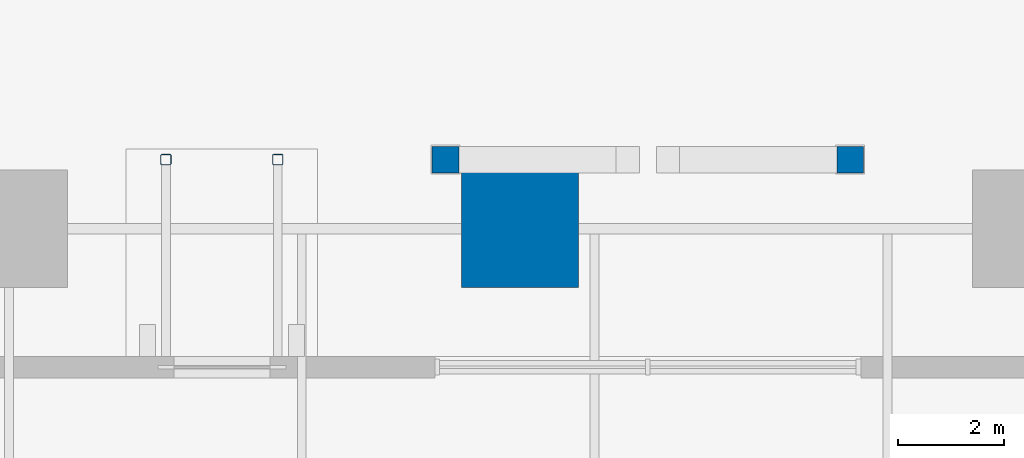
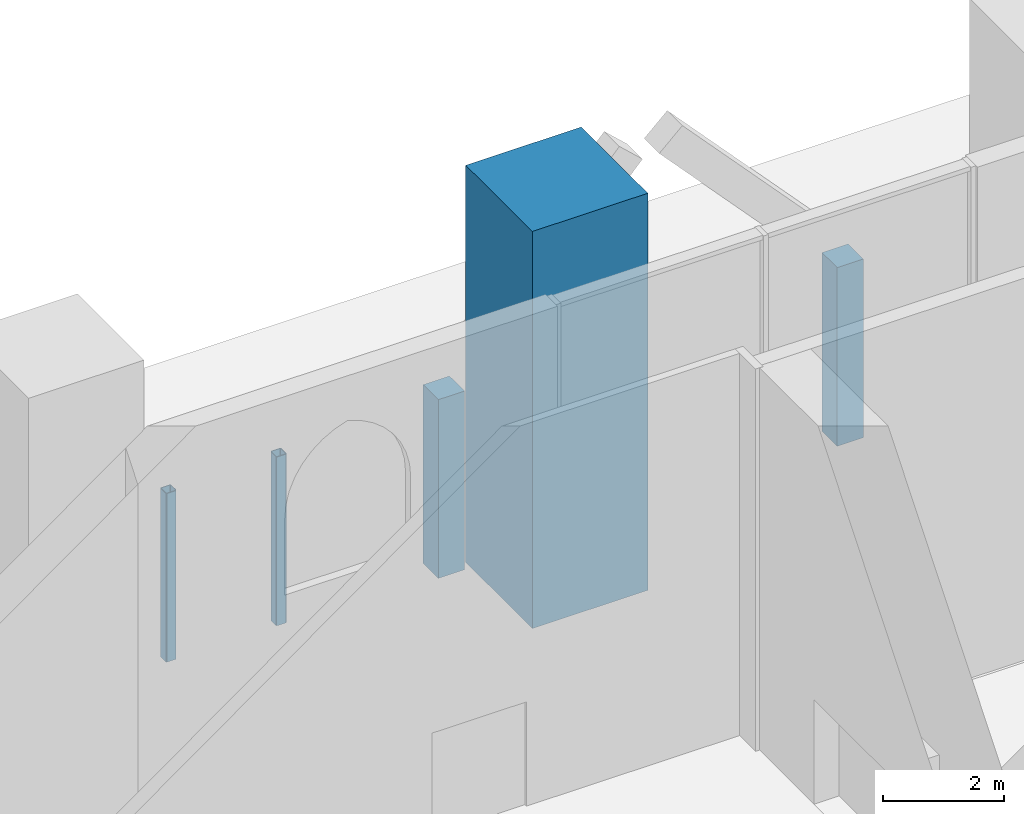
# One storey, part 11 of 38: 5 columns.
"""IFC4 building model written with IfcOpenShell, lengths in metres."""

from ifc_helpers import new_model, si_unit, direction, frame, origin, origin_2d, place, context, subcontext, project, spatial, rectangle, hollow_rectangle, extrude, material, material_profile, profile_set, type_object, element, save


model = new_model("IFC4")

# Units and contexts
model_context = context("Model", 3, precision=1e-05, world=origin(), true_north=direction((0.0, 1.0)))
body_context = subcontext(model_context, "Body", "Model", "MODEL_VIEW")
ifc_project = project(units=[si_unit("LENGTHUNIT", "METRE"), si_unit("AREAUNIT", "SQUARE_METRE"), si_unit("VOLUMEUNIT", "CUBIC_METRE"), si_unit("PLANEANGLEUNIT", "RADIAN"), si_unit("MASSUNIT", "GRAM", prefix="KILO")], contexts=[model_context])

# Site, building, storey
site_placement = place(None, origin())
site = spatial("IfcSite", under=ifc_project, at=site_placement, CompositionType="ELEMENT")
building_placement = place(site_placement, origin())
building = spatial("IfcBuilding", under=site, at=building_placement, Name="Ogive Exchange Tower", CompositionType="ELEMENT")
storey_placement = place(building_placement, origin())
storey = spatial("IfcBuildingStorey", under=building, at=storey_placement, Name="L00", CompositionType="ELEMENT", Elevation=0.0)

# Columns
ifc_material_1 = material(Name="Concrete C70/85", Category="concrete")
ifc_material_profile_1 = material_profile(ifc_material_1, rectangle(XDim=0.5, YDim=0.5, at=origin_2d()), Name="RC 500x500")
ifc_profile_set_1 = profile_set([ifc_material_profile_1], Name="Concrete C70/85")
column_type_1 = type_object("IfcColumnType", Name="Arcade pier 500x500", PredefinedType="COLUMN", material=ifc_profile_set_1)
for number, where, z_axis, x_axis, name in (
    (1, (15.800048828125, 32.699951171875, -0.10009765625), (0.0, 0.0, 1.0), (1.0, 0.0, 0.0), "Arcade pier"),
    (2, (8.199951171875, 32.699951171875, -0.10009765625), (0.0, 0.0, 1.0), (1.0, 0.0, 0.0), "Arcade pier"),
):
    element("IfcColumn", number, at=place(storey_placement, frame(where, z_axis=z_axis, x_axis=x_axis)), inside=storey, type_object=column_type_1, Name=name, PredefinedType="COLUMN", context=body_context, shape_type="SweptSolid", body=[
        extrude(rectangle(XDim=0.5, YDim=0.5, at=origin_2d()), origin(), (0.0, 0.0, 1.0), 3.60009765625),
    ])
ifc_material_2 = material(Name="Steel ASTM A1085 Gr A", Category="steel")
ifc_material_profile_2 = material_profile(ifc_material_2, hollow_rectangle(XDim=0.202880859375, YDim=0.202880859375, WallThickness=0.0126953125, InnerFilletRadius=0.0126953125, OuterFilletRadius=0.025390625, at=origin_2d()), Name="HSS203.2x203.2x12.7")
ifc_profile_set_2 = profile_set([ifc_material_profile_2], Name="Steel ASTM A1085 Gr A")
column_type_2 = type_object("IfcColumnType", Name="Canopy post HSS203.2x203.2x12.7", PredefinedType="COLUMN", material=ifc_profile_set_2)
for number, where, z_axis, x_axis, name in (
    (3, (5.050048828125, 32.699951171875, -0.10009765625), (0.0, 0.0, 1.0), (-1.0, 0.0, 0.0), "Canopy post"),
    (4, (2.949951171875, 32.699951171875, -0.10009765625), (0.0, 0.0, 1.0), (-1.0, 0.0, 0.0), "Canopy post"),
):
    element("IfcColumn", number, at=place(storey_placement, frame(where, z_axis=z_axis, x_axis=x_axis)), inside=storey, type_object=column_type_2, Name=name, PredefinedType="COLUMN", context=body_context, shape_type="SweptSolid", body=[
        extrude(hollow_rectangle(XDim=0.202880859375, YDim=0.202880859375, WallThickness=0.0126953125, InnerFilletRadius=0.0126953125, OuterFilletRadius=0.025390625, at=origin_2d()), origin(), (0.0, 0.0, 1.0), 3.400146484375),
    ])
ifc_material_profile_3 = material_profile(ifc_material_1, rectangle(XDim=2.199951171875, YDim=2.199951171875, at=origin_2d()), Name="RC 2200x2200")
ifc_profile_set_3 = profile_set([ifc_material_profile_3], Name="Concrete C70/85")
column_type_3 = type_object("IfcColumnType", Name="RC pier 2200x2200", PredefinedType="COLUMN", material=ifc_profile_set_3)
column_placement = place(storey_placement, frame((9.60009765625, 31.39990234375, 0.0), z_axis=(0.0, 0.0, 1.0), x_axis=(1.0, 0.0, 0.0)))
element("IfcColumn", 5, at=column_placement, inside=storey, type_object=column_type_3, Name="Entrance pier", PredefinedType="COLUMN", context=body_context, shape_type="SweptSolid", body=[
    extrude(rectangle(XDim=2.199951171875, YDim=2.199951171875, at=origin_2d()), origin(), (0.0, 0.0, 1.0), 8.0),
])

save(model, "model.ifc")
